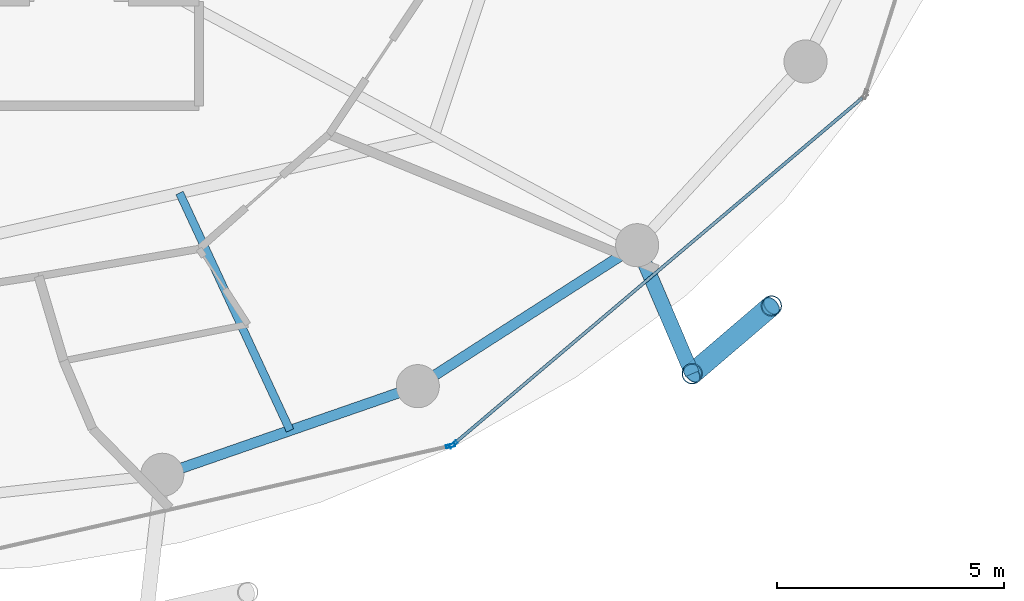
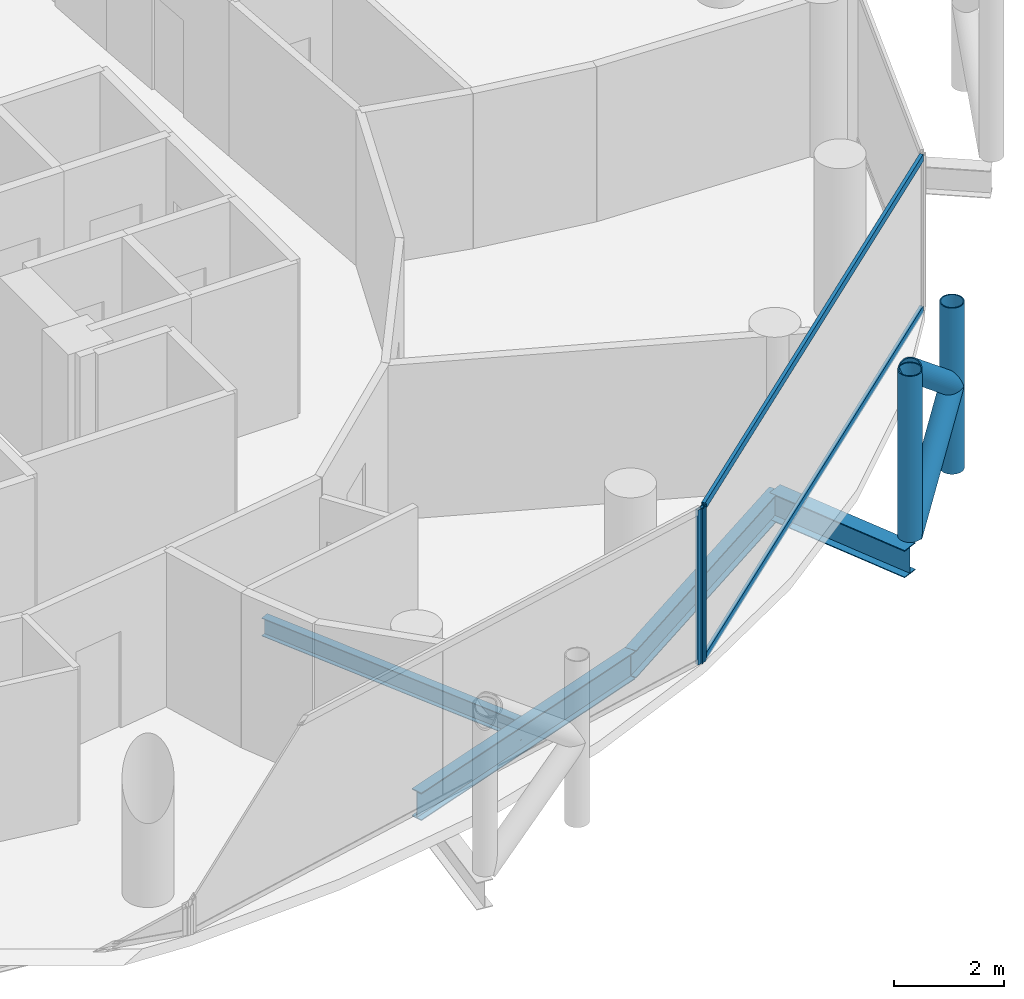
# One storey, part 8 of 26: 8 members, 4 beams, 2 elements without a shape of their own.
"""IFC4 building model written with IfcOpenShell, lengths in metres."""

from ifc_helpers import new_model, si_unit, direction, frame, origin, origin_2d, place, context, subcontext, project, spatial, hollow_rectangle, hollow_circle, i_section, extrude, material, layer, layer_set, material_profile, profile_set, type_object, element, aggregate, save


model = new_model("IFC4")

# Units and contexts
model_context = context("Model", 3, precision=1e-05, world=origin(), true_north=direction((0.0, 1.0)))
body_context = subcontext(model_context, "Body", "Model", "MODEL_VIEW")
ifc_project = project(units=[si_unit("LENGTHUNIT", "METRE"), si_unit("AREAUNIT", "SQUARE_METRE"), si_unit("VOLUMEUNIT", "CUBIC_METRE"), si_unit("PLANEANGLEUNIT", "RADIAN"), si_unit("MASSUNIT", "GRAM", prefix="KILO")], contexts=[model_context])

# Site, building, storey
site_placement = place(None, origin())
site = spatial("IfcSite", under=ifc_project, at=site_placement, CompositionType="ELEMENT")
building_placement = place(site_placement, origin())
building = spatial("IfcBuilding", under=site, at=building_placement, Name="Nuhasar Tower", CompositionType="ELEMENT")
storey_placement = place(building_placement, frame((0.0, 0.0, 118.25)))
storey = spatial("IfcBuildingStorey", under=building, at=storey_placement, Name="L27", CompositionType="ELEMENT", Elevation=118.25)

# Beams
ifc_material_1 = material(Name="Steel S355", Category="steel")
ifc_material_profile_1 = material_profile(ifc_material_1, i_section(OverallWidth=0.177978515625, OverallDepth=0.406005859375, WebThickness=0.0078125, FlangeThickness=0.0126953125, at=origin_2d()), Name="W16X40")
ifc_profile_set_1 = profile_set([ifc_material_profile_1], Name="Steel S355")
beam_type_1 = type_object("IfcBeamType", Name="BM-JST-W16X40", PredefinedType="JOIST", material=ifc_profile_set_1)
beam_1_placement = place(storey_placement, frame((45.424072265625, 14.1279296875, -0.452880859375), z_axis=(0.421729941201, -0.906721487941, 0.0), x_axis=(0.906721487941, 0.421729941201, 0.0)))
element("IfcBeam", 1, at=beam_1_placement, inside=storey, type_object=beam_type_1, Name="L27 Secondary Floor Joist 02", PredefinedType="JOIST", context=body_context, shape_type="SweptSolid", body=[
    extrude(i_section(OverallWidth=0.177978515625, OverallDepth=0.406005859375, WebThickness=0.0078125, FlangeThickness=0.0126953125, at=origin_2d()), origin(), (0.0, 0.0, 1.0), 5.7734375),
])
ifc_material_profile_2 = material_profile(ifc_material_1, i_section(OverallWidth=0.22998046875, OverallDepth=0.616943359375, WebThickness=0.01318359375, FlangeThickness=0.022216796875, at=origin_2d()), Name="W24X94")
ifc_profile_set_2 = profile_set([ifc_material_profile_2], Name="Steel S355")
beam_type_2 = type_object("IfcBeamType", Name="BM-RING-W24X94", PredefinedType="SPANDREL", material=ifc_profile_set_2)
beam_2_placement = place(storey_placement, frame((45.04296875, 7.916015625, -0.55810546875), z_axis=(0.944814057608, 0.327607076458, 0.0), x_axis=(-0.327607076458, 0.944814057608, 0.0)))
element("IfcBeam", 2, at=beam_2_placement, inside=storey, type_object=beam_type_2, Name="L27 Perimeter Ring Spandrel 20", PredefinedType="SPANDREL", context=body_context, shape_type="SweptSolid", body=[
    extrude(i_section(OverallWidth=0.22998046875, OverallDepth=0.616943359375, WebThickness=0.01318359375, FlangeThickness=0.022216796875, at=origin_2d()), origin(), (0.0, 0.0, 1.0), 5.9609375),
])
beam_3_placement = place(storey_placement, frame((50.675048828125, 9.868896484375, -0.55810546875), z_axis=(0.841308170616, 0.540555789955, 0.0), x_axis=(-0.540555789955, 0.841308170616, 0.0)))
element("IfcBeam", 3, at=beam_3_placement, inside=storey, type_object=beam_type_2, Name="L27 Perimeter Ring Spandrel 21", PredefinedType="SPANDREL", context=body_context, shape_type="SweptSolid", body=[
    extrude(i_section(OverallWidth=0.22998046875, OverallDepth=0.616943359375, WebThickness=0.01318359375, FlangeThickness=0.022216796875, at=origin_2d()), origin(), (0.0, 0.0, 1.0), 5.748046875),
])
ifc_material_profile_3 = material_profile(ifc_material_1, i_section(OverallWidth=0.323974609375, OverallDepth=0.611083984375, WebThickness=0.0126953125, FlangeThickness=0.01904296875, at=origin_2d()), Name="W24X104")
ifc_profile_set_3 = profile_set([ifc_material_profile_3], Name="Steel S355")
beam_type_3 = type_object("IfcBeamType", Name="BM-TIE-W24X104", PredefinedType="BEAM", material=ifc_profile_set_3)
beam_4_placement = place(storey_placement, frame((55.510986328125, 12.97607421875, -0.554931640625), z_axis=(0.39330721304, -0.919407111225, 0.0), x_axis=(0.919407111225, 0.39330721304, 0.0)))
element("IfcBeam", 4, at=beam_4_placement, inside=storey, type_object=beam_type_3, Name="L27 Exoskeleton Node Tie Beam 11", PredefinedType="BEAM", context=body_context, shape_type="SweptSolid", body=[
    extrude(i_section(OverallWidth=0.323974609375, OverallDepth=0.611083984375, WebThickness=0.0126953125, FlangeThickness=0.01904296875, at=origin_2d()), origin(), (0.0, 0.0, 1.0), 3.081298828125),
])

# Curtain wall, member
ifc_material_2 = material(Name="Aluminium 6063-T6", Category="aluminium")
ifc_layer = layer(ifc_material_2, 0.199951171875)
ifc_layer_set = layer_set([ifc_layer], Name="Aluminium 6063-T6")
curtain_wall_type = type_object("IfcCurtainWallType", Name="CW-Z2-HTL", PredefinedType="NOTDEFINED", material=ifc_layer_set)
curtain_wall_1_placement = place(storey_placement, origin())
curtain_wall_1 = element("IfcCurtainWall", 5, at=curtain_wall_1_placement, inside=storey, type_object=curtain_wall_type, Name="L27 Unitised Curtain Wall 10", PredefinedType="NOTDEFINED")
ifc_material_profile_4 = material_profile(ifc_material_2, hollow_rectangle(XDim=0.070068359375, YDim=0.199951171875, WallThickness=0.0048828125, at=origin_2d()), Name="CWM-3")
ifc_profile_set_4 = profile_set([ifc_material_profile_4], Name="Aluminium 6063-T6")
member_type_1 = type_object("IfcMemberType", Name="CW-MUL-S3", PredefinedType="MULLION", material=ifc_profile_set_4)
member_1_placement = place(storey_placement, frame((51.395751953125, 8.55419921875, 0.0), z_axis=(0.0, 0.0, 1.0), x_axis=(-0.22139729566, 0.975183694221, 0.0)))
member_1 = element("IfcMember", 6, at=member_1_placement, type_object=member_type_1, Name="CW-Z2 mullion 2", PredefinedType="MULLION", context=body_context, shape_type="SweptSolid", body=[
    extrude(hollow_rectangle(XDim=0.070068359375, YDim=0.199951171875, WallThickness=0.0048828125, at=origin_2d()), origin(), (0.0, 0.0, 1.0), 3.449951171875),
])
aggregate(curtain_wall_1, [member_1])

# Curtain wall, members
curtain_wall_2_placement = place(storey_placement, origin())
curtain_wall_2 = element("IfcCurtainWall", 7, at=curtain_wall_2_placement, inside=storey, type_object=curtain_wall_type, Name="L27 Unitised Curtain Wall 11", PredefinedType="NOTDEFINED")
member_2_placement = place(storey_placement, frame((51.456787109375, 8.584716796875, 0.0), z_axis=(0.0, 0.0, 1.0), x_axis=(-0.646374438324, 0.763020370292, 0.0)))
member_2 = element("IfcMember", 8, at=member_2_placement, type_object=member_type_1, Name="CW-Z2 mullion 1", PredefinedType="MULLION", context=body_context, shape_type="SweptSolid", body=[
    extrude(hollow_rectangle(XDim=0.070068359375, YDim=0.199951171875, WallThickness=0.0048828125, at=origin_2d()), origin(), (0.0, 0.0, 1.0), 3.449951171875),
])
ifc_material_profile_5 = material_profile(ifc_material_2, hollow_rectangle(XDim=0.070068359375, YDim=0.159912109375, WallThickness=0.00439453125, at=origin_2d()), Name="CWT-3")
ifc_profile_set_5 = profile_set([ifc_material_profile_5], Name="Aluminium 6063-T6")
member_type_2 = type_object("IfcMemberType", Name="CW-TRN-S3", PredefinedType="USERDEFINED", material=ifc_profile_set_5)
member_3_placement = place(storey_placement, frame((51.4833984375, 8.607177734375, 0.034912109375), z_axis=(0.763013698099, 0.646382314511, 0.0), x_axis=(-0.646382314511, 0.763013698099, 0.0)))
member_3 = element("IfcMember", 9, at=member_3_placement, type_object=member_type_2, Name="CW-Z2 transom 1.1", ObjectType="TRANSOM", PredefinedType="USERDEFINED", context=body_context, shape_type="SweptSolid", body=[
    extrude(hollow_rectangle(XDim=0.070068359375, YDim=0.159912109375, WallThickness=0.00439453125, at=origin_2d()), origin(), (0.0, 0.0, 1.0), 11.78515625),
])
member_4_placement = place(storey_placement, frame((51.4833984375, 8.607177734375, 3.4150390625), z_axis=(0.763013698099, 0.646382314511, 0.0), x_axis=(-0.646382314511, 0.763013698099, 0.0)))
member_4 = element("IfcMember", 10, at=member_4_placement, type_object=member_type_2, Name="CW-Z2 transom 1.2", ObjectType="TRANSOM", PredefinedType="USERDEFINED", context=body_context, shape_type="SweptSolid", body=[
    extrude(hollow_rectangle(XDim=0.070068359375, YDim=0.159912109375, WallThickness=0.00439453125, at=origin_2d()), origin(), (0.0, 0.0, 1.0), 11.78515625),
])
aggregate(curtain_wall_2, [member_2, member_3, member_4])

# Members
ifc_material_3 = material(Name="Steel S460", Category="steel")
ifc_material_profile_6 = material_profile(ifc_material_3, hollow_circle(Radius=0.228515625, WallThickness=0.022216796875, at=origin_2d()), Name="HSS457X22.2")
ifc_profile_set_6 = profile_set([ifc_material_profile_6], Name="Steel S460")
member_type_3 = type_object("IfcMemberType", Name="EXO-BRONZE-457", PredefinedType="BRACE", material=ifc_profile_set_6)
for number, where, z_axis, x_axis, name in (
    (11, (56.722900390625, 10.14306640625, 0.0), (0.0, 0.0, 1.0), (1.0, 0.0, 0.0), "L27 Exoskeleton Chord Column EC-11A"),
    (12, (58.470947265625, 11.637939453125, 0.0), (0.0, 0.0, 1.0), (1.0, 0.0, 0.0), "L27 Exoskeleton Chord Column EC-11B"),
):
    element("IfcMember", number, at=place(storey_placement, frame(where, z_axis=z_axis, x_axis=x_axis)), inside=storey, type_object=member_type_3, Name=name, PredefinedType="BRACE", context=body_context, shape_type="SweptSolid", body=[
        extrude(hollow_circle(Radius=0.228515625, WallThickness=0.022216796875, at=origin_2d()), origin(), (0.0, 0.0, 1.0), 3.699951171875),
    ])
member_5_placement = place(storey_placement, frame((56.722900390625, 10.14306640625, 0.0), z_axis=(0.592195175458, 0.506426125604, 0.626767463634), x_axis=(-0.649925557156, 0.7599978751, 0.0)))
element("IfcMember", 13, at=member_5_placement, inside=storey, type_object=member_type_3, Name="L27 Bronze Diagrid Brace W1-11", PredefinedType="BRACE", context=body_context, shape_type="SweptSolid", body=[
    extrude(hollow_circle(Radius=0.228515625, WallThickness=0.022216796875, at=origin_2d()), origin(), (0.0, 0.0, 1.0), 2.951904296875),
])
member_6_placement = place(storey_placement, frame((58.470947265625, 11.637939453125, 1.85009765625), z_axis=(-0.592225874743, -0.506452378638, 0.626717242029), x_axis=(0.649925557156, -0.7599978751, 0.0)))
element("IfcMember", 14, at=member_6_placement, inside=storey, type_object=member_type_3, Name="L27 Bronze Diagrid Brace W2-11", PredefinedType="BRACE", context=body_context, shape_type="SweptSolid", body=[
    extrude(hollow_circle(Radius=0.228515625, WallThickness=0.022216796875, at=origin_2d()), origin(), (0.0, 0.0, 1.0), 2.95166015625),
])

save(model, "model.ifc")
